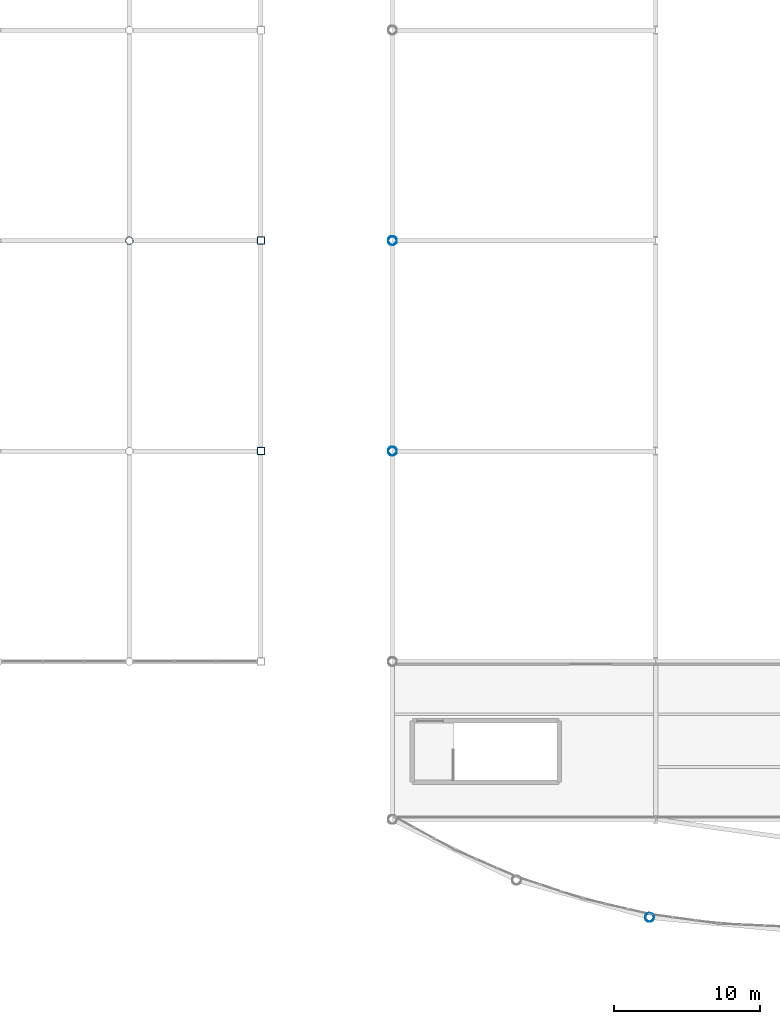
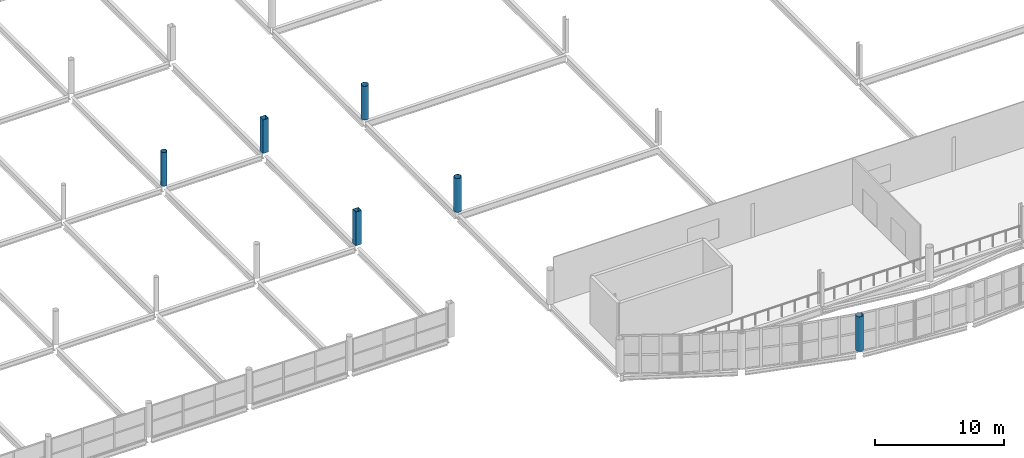
# One storey, part 4 of 134: 6 columns.
"""IFC4 building model written with IfcOpenShell, lengths in metres."""

from ifc_helpers import new_model, si_unit, direction, frame, origin, origin_2d, place, context, subcontext, project, spatial, hollow_rectangle, hollow_circle, extrude, material, material_profile, profile_set, type_object, element, save


model = new_model("IFC4")

# Units and contexts
model_context = context("Model", 3, precision=1e-05, world=origin(), true_north=direction((0.0, 1.0)))
body_context = subcontext(model_context, "Body", "Model", "MODEL_VIEW")
ifc_project = project(units=[si_unit("LENGTHUNIT", "METRE"), si_unit("AREAUNIT", "SQUARE_METRE"), si_unit("VOLUMEUNIT", "CUBIC_METRE"), si_unit("PLANEANGLEUNIT", "RADIAN"), si_unit("MASSUNIT", "GRAM", prefix="KILO")], contexts=[model_context])

# Site, building, storey
site_placement = place(None, origin())
site = spatial("IfcSite", under=ifc_project, at=site_placement, CompositionType="ELEMENT")
building_placement = place(site_placement, origin())
building = spatial("IfcBuilding", under=site, at=building_placement, Name="Tamarisk Ironworks Central Station", CompositionType="ELEMENT")
storey_placement = place(building_placement, frame((0.0, 0.0, 12.60009765625)))
storey = spatial("IfcBuildingStorey", under=building, at=storey_placement, Name="L02", CompositionType="ELEMENT", Elevation=12.60009765625)

# Columns
ifc_material_1 = material(Name="Structural steel S355J2H", Category="steel")
ifc_material_profile_1 = material_profile(ifc_material_1, hollow_rectangle(XDim=0.5, YDim=0.5, WallThickness=0.02001953125, at=origin_2d()), Name="SHS 500x500x20")
ifc_profile_set_1 = profile_set([ifc_material_profile_1], Name="Structural steel S355J2H")
column_type_1 = type_object("IfcColumnType", Name="COL-S13", PredefinedType="COLUMN", material=ifc_profile_set_1)
for number, where, z_axis, x_axis, name in (
    (1, (45.0, 36.0, 0.0), (0.0, 0.0, 1.0), (1.0, 0.0, 0.0), "L02 column V1-06D"),
    (2, (45.0, 50.39990234375, 0.0), (0.0, 0.0, 1.0), (1.0, 0.0, 0.0), "L02 column V1-06E"),
):
    element("IfcColumn", number, at=place(storey_placement, frame(where, z_axis=z_axis, x_axis=x_axis)), inside=storey, type_object=column_type_1, Name=name, PredefinedType="COLUMN", context=body_context, shape_type="SweptSolid", body=[
        extrude(hollow_rectangle(XDim=0.5, YDim=0.5, WallThickness=0.02001953125, at=origin_2d()), origin(), (0.0, 0.0, 1.0), 3.199951171875),
    ])
ifc_material_2 = material(Name="Painted structural steel S355J2", Category="steel")
ifc_material_profile_2 = material_profile(ifc_material_2, hollow_circle(Radius=0.304931640625, WallThickness=0.02001953125, at=origin_2d()), Name="CHS 610x20")
ifc_profile_set_2 = profile_set([ifc_material_profile_2], Name="Painted structural steel S355J2")
column_type_2 = type_object("IfcColumnType", Name="COL-S15", PredefinedType="COLUMN", material=ifc_profile_set_2)
for number, where, z_axis, x_axis, name in (
    (3, (54.0, 36.0, 0.0), (0.0, 0.0, 1.0), (1.0, 0.0, 0.0), "L02 column V2-07D"),
    (4, (54.0, 50.39990234375, 0.0), (0.0, 0.0, 1.0), (1.0, 0.0, 0.0), "L02 column V2-07E"),
):
    element("IfcColumn", number, at=place(storey_placement, frame(where, z_axis=z_axis, x_axis=x_axis)), inside=storey, type_object=column_type_2, Name=name, PredefinedType="COLUMN", context=body_context, shape_type="SweptSolid", body=[
        extrude(hollow_circle(Radius=0.304931640625, WallThickness=0.02001953125, at=origin_2d()), origin(), (0.0, 0.0, 1.0), 3.199951171875),
    ])
column_1_placement = place(storey_placement, frame((71.589111328125, 4.099609375, 0.0), z_axis=(0.0, 0.0, 1.0), x_axis=(1.0, 0.0, 0.0)))
element("IfcColumn", 5, at=column_1_placement, inside=storey, type_object=column_type_2, Name="L02 column V2-SN04", PredefinedType="COLUMN", context=body_context, shape_type="SweptSolid", body=[
    extrude(hollow_circle(Radius=0.304931640625, WallThickness=0.02001953125, at=origin_2d()), origin(), (0.0, 0.0, 1.0), 3.2998046875),
])
ifc_material_profile_3 = material_profile(ifc_material_1, hollow_circle(Radius=0.25390625, WallThickness=0.01611328125, at=origin_2d()), Name="CHS 508x16")
ifc_profile_set_3 = profile_set([ifc_material_profile_3], Name="Structural steel S355J2H")
column_type_3 = type_object("IfcColumnType", Name="COL-S16", PredefinedType="COLUMN", material=ifc_profile_set_3)
column_2_placement = place(storey_placement, frame((36.0, 50.39990234375, 0.0), z_axis=(0.0, 0.0, 1.0), x_axis=(1.0, 0.0, 0.0)))
element("IfcColumn", 6, at=column_2_placement, inside=storey, type_object=column_type_3, Name="L02 column V1-05E", PredefinedType="COLUMN", context=body_context, shape_type="SweptSolid", body=[
    extrude(hollow_circle(Radius=0.25390625, WallThickness=0.01611328125, at=origin_2d()), origin(), (0.0, 0.0, 1.0), 3.199951171875),
])

save(model, "model.ifc")
